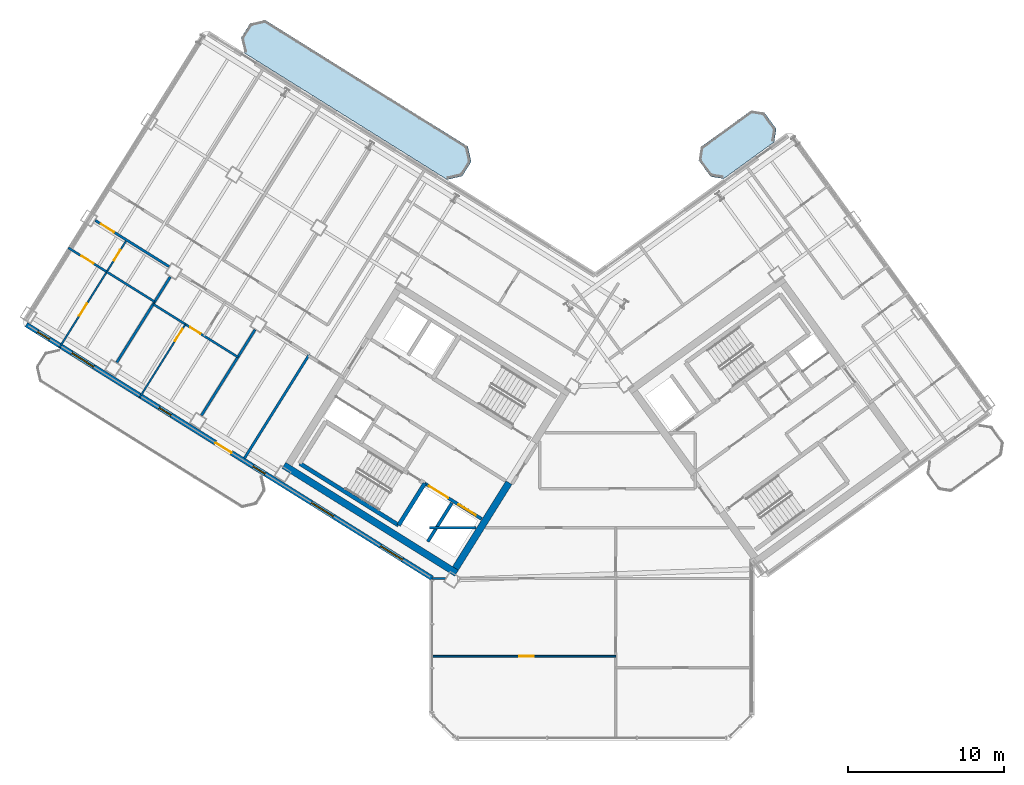
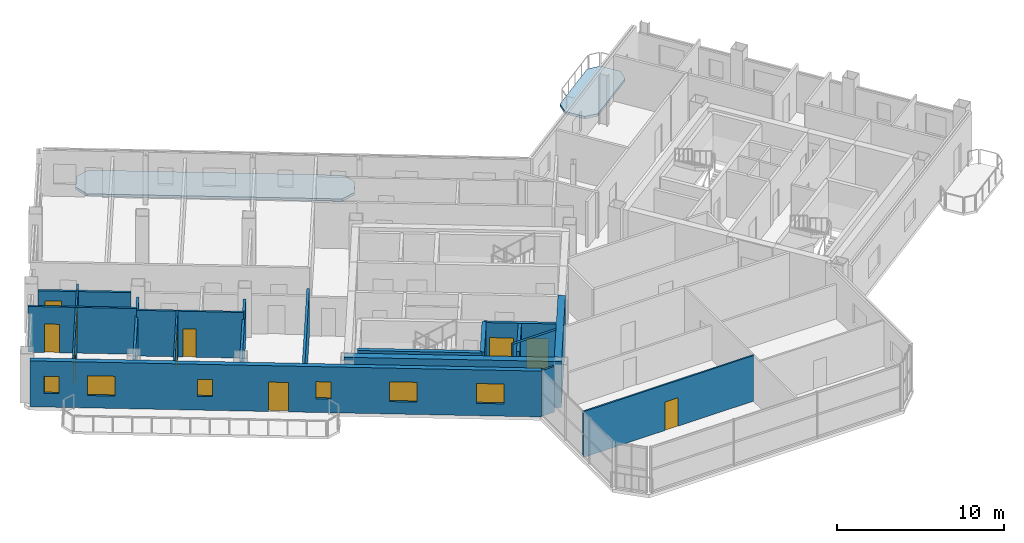
# One storey, part 11 of 21: 19 walls, 10 doors, 6 windows, 2 slabs, 16 openings.
"""IFC4 building model written with IfcOpenShell, lengths in metres."""

from ifc_helpers import new_model, si_unit, direction, frame, frame_2d, origin, place, context, subcontext, project, spatial, polyline, rectangle, outline, extrude, source, transform, mapped, material, layer, layer_set, type_object, element, fill, save


model = new_model("IFC4")

# Units and contexts
model_context = context("Model", 3, precision=1e-05, world=origin(), true_north=direction((0.0, 1.0)))
body_context = subcontext(model_context, "Body", "Model", "MODEL_VIEW")
ifc_project = project(units=[si_unit("LENGTHUNIT", "METRE"), si_unit("AREAUNIT", "SQUARE_METRE"), si_unit("VOLUMEUNIT", "CUBIC_METRE"), si_unit("PLANEANGLEUNIT", "RADIAN"), si_unit("MASSUNIT", "GRAM", prefix="KILO")], contexts=[model_context])

# Site, building, storey
site_placement = place(None, origin())
site = spatial("IfcSite", under=ifc_project, at=site_placement, CompositionType="ELEMENT")
building_placement = place(site_placement, origin())
building = spatial("IfcBuilding", under=site, at=building_placement, Name="Tlacorven Tower", CompositionType="ELEMENT")
storey_placement = place(building_placement, frame((0.0, 0.0, 207.60009765625)))
storey = spatial("IfcBuildingStorey", under=building, at=storey_placement, Name="L52", CompositionType="ELEMENT", Elevation=207.60009765625)

# Slabs
ifc_material_1 = material(Name="Precast concrete C45/55", Category="concrete")
ifc_layer_1 = layer(ifc_material_1, 0.179931640625)
ifc_layer_set_1 = layer_set([ifc_layer_1], Name="Precast concrete C45/55")
slab_type = type_object("IfcSlabType", Name="SL-BAL-180", PredefinedType="USERDEFINED", material=ifc_layer_set_1)
slab_1_placement = place(storey_placement, frame((0.0, 0.0, -0.18017578125)))
element("IfcSlab", 1, at=slab_1_placement, inside=storey, type_object=slab_type, Name="L52 West Wing Balcony Ribbon IN", ObjectType="BALCONY SLAB", PredefinedType="USERDEFINED", context=body_context, shape_type="SweptSolid", body=[
    extrude(outline(polyline([(34.0419921875, 39.835693359375), (21.06689453125, 47.943359375), (20.102294921875, 47.720703125), (19.52197265625, 46.7919921875), (19.744873046875, 45.827392578125), (32.719970703125, 37.7197265625), (33.6845703125, 37.9423828125), (34.2646484375, 38.87109375), (34.0419921875, 39.835693359375)])), origin(), (0.0, 0.0, 1.0), 0.18017578125),
])
slab_2_placement = place(storey_placement, frame((0.0, 0.0, -0.18017578125)))
element("IfcSlab", 2, at=slab_2_placement, inside=storey, type_object=slab_type, Name="L52 East Wing Balcony Ribbon IN", ObjectType="BALCONY SLAB", PredefinedType="USERDEFINED", context=body_context, shape_type="SweptSolid", body=[
    extrude(outline(polyline([(50.433837890625, 37.77880859375), (53.669921875, 40.1298828125), (53.802490234375, 40.968017578125), (53.04150390625, 42.015625), (52.203369140625, 42.1484375), (48.96728515625, 39.79736328125), (48.83447265625, 38.959228515625), (49.595703125, 37.91162109375), (50.433837890625, 37.77880859375)])), origin(), (0.0, 0.0, 1.0), 0.18017578125),
])

# Walls
ifc_material_2 = material(Name="Concrete C50/60", Category="concrete")
ifc_layer_2 = layer(ifc_material_2, 0.449951171875)
ifc_layer_set_2 = layer_set([ifc_layer_2], Name="Concrete C50/60")
wall_type_1 = type_object("IfcWallType", Name="WL-COR-450", PredefinedType="SHEAR", material=ifc_layer_set_2)
wall_1_placement = place(storey_placement, frame((33.32373046875, 12.5029296875, 0.0), z_axis=(0.0, 0.0, 1.0), x_axis=(-0.848043529849, 0.529926571782, 0.0)))
element("IfcWall", 3, at=wall_1_placement, inside=storey, type_object=wall_type_1, Name="L52 W core shear wall S2", PredefinedType="SHEAR", context=body_context, shape_type="SweptSolid", body=[
    extrude(rectangle(XDim=13.039794921875, YDim=0.449951171875, at=frame_2d((6.52001953125, 0.0))), origin(), (0.0, 0.0, 1.0), 3.349853515625),
])
wall_2_placement = place(storey_placement, frame((36.683349609375, 18.30419921875, 0.0), z_axis=(0.0, 0.0, 1.0), x_axis=(-0.529904039071, -0.848057609704, 0.0)))
element("IfcWall", 4, at=wall_2_placement, inside=storey, type_object=wall_type_1, Name="L52 W core end wall E1.2", PredefinedType="SHEAR", context=body_context, shape_type="SweptSolid", body=[
    extrude(rectangle(XDim=6.47509765625, YDim=0.449951171875, at=frame_2d((3.237548828125, 0.0))), origin(), (0.0, 0.0, 1.0), 3.349853515625),
])
ifc_material_3 = material(Name="Gypsum plasterboard acoustic partition", Category="gypsum")
ifc_layer_3 = layer(ifc_material_3, 0.159912109375)
ifc_layer_set_3 = layer_set([ifc_layer_3], Name="Gypsum plasterboard acoustic partition")
wall_type_2 = type_object("IfcWallType", Name="WL-DEM-160", PredefinedType="PARTITIONING", material=ifc_layer_set_3)
wall_3_placement = place(storey_placement, frame((23.899169921875, 26.528564453125, 0.0), z_axis=(0.0, 0.0, 1.0), x_axis=(-0.529920662441, -0.848047222457, 0.0)))
element("IfcWall", 5, at=wall_3_placement, inside=storey, type_object=wall_type_2, Name="L52 partition 42", PredefinedType="PARTITIONING", context=body_context, shape_type="SweptSolid", body=[
    extrude(rectangle(XDim=7.85009765625, YDim=0.159912109375, at=frame_2d((3.925048828125, 0.0))), origin(), (0.0, 0.0, 1.0), 3.33984375),
])

# Wall, opening, door
wall_4_placement = place(storey_placement, frame((14.908203125, 32.146728515625, 0.0), z_axis=(0.0, 0.0, 1.0), x_axis=(-0.848049955116, 0.529916289265, 0.0)))
wall_4 = element("IfcWall", 6, at=wall_4_placement, inside=storey, type_object=wall_type_2, Name="L52 Wing W Corridor North Wall", PredefinedType="PARTITIONING", context=body_context, shape_type="SweptSolid", body=[
    extrude(rectangle(XDim=5.575927734375, YDim=0.159912109375, at=frame_2d((2.7880859375, 0.0))), origin(), (0.0, 0.0, 1.0), 2.824951171875),
])
opening_1_placement = place(wall_4_placement, frame((4.157958984375, 0.0, 0.0)))
opening_1 = element("IfcOpeningElement", 7, at=opening_1_placement, cuts=wall_4, Name="Opening D11", PredefinedType="OPENING", context=body_context, shape_type="SweptSolid", body=[
    extrude(rectangle(XDim=1.0, YDim=2.10009765625, at=frame_2d((0.5, 1.050048828125))), frame((0.0, 0.08984375, 0.0), z_axis=(0.0, -1.0, 0.0), x_axis=(1.0, 0.0, 0.0)), (0.0, 0.0, 1.0), 0.179931640625),
])
ifc_material_4 = material(Name="Fire-rated steel door assembly", Category="steel")
door_type_1 = type_object("IfcDoorType", Name="DR-FLT-FD60-1000", OperationType="NOTDEFINED", PredefinedType="DOOR", material=ifc_material_4)
shared_shape_1 = source(origin(), body_context, "Body", "SweptSolid", [
    extrude(rectangle(XDim=1.0, YDim=2.10009765625, at=frame_2d((0.5, 1.050048828125))), frame((0.0, 0.02490234375, 0.0), z_axis=(0.0, -1.0, 0.0), x_axis=(1.0, 0.0, 0.0)), (0.0, 0.0, 1.0), 0.050048828125),
])
door_1_placement = place(opening_1_placement, origin())
door_1 = element("IfcDoor", 8, at=door_1_placement, inside=storey, type_object=door_type_1, Name="L52 door 030", OperationType="SINGLE_SWING_LEFT", OverallHeight=2.10009765625, OverallWidth=1.0, PredefinedType="DOOR", context=body_context, shape_type="MappedRepresentation", body=[
    mapped(shared_shape_1, transform((0.0, 0.0, 0.0), scale=1.0)),
])
fill(opening_1, door_1)

# Walls
wall_5_placement = place(storey_placement, frame((20.413818359375, 28.102783203125, 0.0), z_axis=(0.0, 0.0, 1.0), x_axis=(-0.529934553702, -0.848038542045, 0.0)))
element("IfcWall", 9, at=wall_5_placement, inside=storey, type_object=wall_type_2, Name="L52 WN Demising Wall 1", PredefinedType="PARTITIONING", context=body_context, shape_type="SweptSolid", body=[
    extrude(rectangle(XDim=6.47607421875, YDim=0.159912109375, at=frame_2d((3.238037109375, 0.0))), origin(), (0.0, 0.0, 1.0), 2.824951171875),
])
wall_6_placement = place(storey_placement, frame((14.986083984375, 31.494140625, 0.0), z_axis=(0.0, 0.0, 1.0), x_axis=(-0.529907440938, -0.848055484057, 0.0)))
element("IfcWall", 10, at=wall_6_placement, inside=storey, type_object=wall_type_2, Name="L52 WN Demising Wall 2", PredefinedType="PARTITIONING", context=body_context, shape_type="SweptSolid", body=[
    extrude(rectangle(XDim=6.475830078125, YDim=0.159912109375, at=frame_2d((3.23779296875, 0.0))), origin(), (0.0, 0.0, 1.0), 2.824951171875),
])
wall_7_placement = place(storey_placement, frame((31.60009765625, 15.419921875, 0.0), z_axis=(0.0, 0.0, 1.0), x_axis=(1.0, 0.0, 0.0)))
element("IfcWall", 11, at=wall_7_placement, inside=storey, type_object=wall_type_2, Name="L52 Knuckle Corridor South Wall", PredefinedType="PARTITIONING", context=body_context, shape_type="SweptSolid", body=[
    extrude(rectangle(XDim=2.984130859375, YDim=0.159912109375, at=frame_2d((1.4921875, 0.0))), origin(), (0.0, 0.0, 1.0), 3.33984375),
])

# Wall, openings, door, windows
ifc_layer_4 = layer(ifc_material_1, 0.320068359375)
ifc_layer_set_4 = layer_set([ifc_layer_4], Name="Precast concrete C45/55")
wall_type_3 = type_object("IfcWallType", Name="WL-EXT-320", PredefinedType="STANDARD", material=ifc_layer_set_4)
wall_8_placement = place(storey_placement, frame((31.760009765625, 12.18310546875, 0.0), z_axis=(0.0, 0.0, 1.0), x_axis=(-0.848047074256, 0.529920899612, 0.0)))
wall_8 = element("IfcWall", 12, at=wall_8_placement, inside=storey, type_object=wall_type_3, Name="L52 Masonry-Frame Recessed Facade Wall 1", PredefinedType="STANDARD", context=body_context, shape_type="SweptSolid", body=[
    extrude(rectangle(XDim=30.652099609375, YDim=0.320068359375, at=frame_2d((15.326171875, 0.0))), origin(), (0.0, 0.0, 1.0), 3.349853515625),
])
opening_2_placement = place(wall_8_placement, frame((15.165771484375, 0.0, 0.0)))
opening_2 = element("IfcOpeningElement", 13, at=opening_2_placement, cuts=wall_8, Name="Opening D05", PredefinedType="OPENING", context=body_context, shape_type="SweptSolid", body=[
    extrude(rectangle(XDim=1.199951171875, YDim=2.14990234375, at=frame_2d((0.60009765625, 1.074951171875))), frame((0.0, 0.169921875, 0.0), z_axis=(0.0, -1.0, 0.0), x_axis=(1.0, 0.0, 0.0)), (0.0, 0.0, 1.0), 0.340087890625),
])
opening_3_placement = place(wall_8_placement, frame((2.239501953125, 0.0, 0.89990234375)))
opening_3 = element("IfcOpeningElement", 14, at=opening_3_placement, cuts=wall_8, Name="Opening WN07", PredefinedType="OPENING", context=body_context, shape_type="SweptSolid", body=[
    extrude(rectangle(XDim=1.64990234375, YDim=1.449951171875, at=frame_2d((0.824951171875, 0.72509765625))), frame((0.0, 0.169921875, 0.0), z_axis=(0.0, -1.0, 0.0), x_axis=(1.0, 0.0, 0.0)), (0.0, 0.0, 1.0), 0.340087890625),
])
opening_4_placement = place(wall_8_placement, frame((7.46875, 0.0, 0.89990234375)))
opening_4 = element("IfcOpeningElement", 15, at=opening_4_placement, cuts=wall_8, Name="Opening WN07", PredefinedType="OPENING", context=body_context, shape_type="SweptSolid", body=[
    extrude(rectangle(XDim=1.64990234375, YDim=1.449951171875, at=frame_2d((0.824951171875, 0.72509765625))), frame((0.0, 0.169921875, 0.0), z_axis=(0.0, -1.0, 0.0), x_axis=(1.0, 0.0, 0.0)), (0.0, 0.0, 1.0), 0.340087890625),
])
opening_5_placement = place(wall_8_placement, frame((12.623291015625, 0.0, 1.0)))
opening_5 = element("IfcOpeningElement", 16, at=opening_5_placement, cuts=wall_8, Name="Opening WN05", PredefinedType="OPENING", context=body_context, shape_type="SweptSolid", body=[
    extrude(rectangle(XDim=0.89990234375, YDim=1.25, at=frame_2d((0.449951171875, 0.625))), frame((0.0, 0.169921875, 0.0), z_axis=(0.0, -1.0, 0.0), x_axis=(1.0, 0.0, 0.0)), (0.0, 0.0, 1.0), 0.340087890625),
])
opening_6_placement = place(wall_8_placement, frame((19.71484375, 0.0, 1.0)))
opening_6 = element("IfcOpeningElement", 17, at=opening_6_placement, cuts=wall_8, Name="Opening WN05", PredefinedType="OPENING", context=body_context, shape_type="SweptSolid", body=[
    extrude(rectangle(XDim=0.89990234375, YDim=1.25, at=frame_2d((0.449951171875, 0.625))), frame((0.0, 0.169921875, 0.0), z_axis=(0.0, -1.0, 0.0), x_axis=(1.0, 0.0, 0.0)), (0.0, 0.0, 1.0), 0.340087890625),
])
opening_7_placement = place(wall_8_placement, frame((25.56591796875, 0.0, 0.89990234375)))
opening_7 = element("IfcOpeningElement", 18, at=opening_7_placement, cuts=wall_8, Name="Opening WN07", PredefinedType="OPENING", context=body_context, shape_type="SweptSolid", body=[
    extrude(rectangle(XDim=1.64990234375, YDim=1.449951171875, at=frame_2d((0.824951171875, 0.72509765625))), frame((0.0, 0.169921875, 0.0), z_axis=(0.0, -1.0, 0.0), x_axis=(1.0, 0.0, 0.0)), (0.0, 0.0, 1.0), 0.340087890625),
])
opening_8_placement = place(wall_8_placement, frame((28.895751953125, 0.0, 1.0)))
opening_8 = element("IfcOpeningElement", 19, at=opening_8_placement, cuts=wall_8, Name="Opening WN05", PredefinedType="OPENING", context=body_context, shape_type="SweptSolid", body=[
    extrude(rectangle(XDim=0.89990234375, YDim=1.25, at=frame_2d((0.449951171875, 0.625))), frame((0.0, 0.169921875, 0.0), z_axis=(0.0, -1.0, 0.0), x_axis=(1.0, 0.0, 0.0)), (0.0, 0.0, 1.0), 0.340087890625),
])
ifc_material_5 = material(Name="Powder-coated aluminium and timber door", Category="wood")
door_type_2 = type_object("IfcDoorType", Name="DR-EXT-BALC-1200", OperationType="NOTDEFINED", PredefinedType="DOOR", material=ifc_material_5)
shared_shape_2 = source(origin(), body_context, "Body", "SweptSolid", [
    extrude(rectangle(XDim=1.199951171875, YDim=2.14990234375, at=frame_2d((0.60009765625, 1.074951171875))), frame((0.0, 0.02490234375, 0.0), z_axis=(0.0, -1.0, 0.0), x_axis=(1.0, 0.0, 0.0)), (0.0, 0.0, 1.0), 0.050048828125),
])
door_2_placement = place(opening_2_placement, origin())
door_2 = element("IfcDoor", 20, at=door_2_placement, inside=storey, type_object=door_type_2, Name="L52 Outdoor Access Door BAL-L52-W-OUT", OperationType="SINGLE_SWING_LEFT", OverallHeight=2.14990234375, OverallWidth=1.199951171875, PredefinedType="DOOR", context=body_context, shape_type="MappedRepresentation", body=[
    mapped(shared_shape_2, transform((0.0, 0.0, 0.0), scale=1.0)),
])
fill(opening_2, door_2)
ifc_material_6 = material(Name="Dark solar low-E double glazing in anodised aluminium frame", Category="aluminium")
window_type_1 = type_object("IfcWindowType", Name="WN-APT-0900X1350", PartitioningType="SINGLE_PANEL", PredefinedType="WINDOW", material=ifc_material_6)
shared_shape_3 = source(origin(), body_context, "Body", "SweptSolid", [
    extrude(rectangle(XDim=0.89990234375, YDim=1.25, at=frame_2d((0.449951171875, 0.625))), frame((0.0, 0.030029296875, 0.0), z_axis=(0.0, -1.0, 0.0), x_axis=(1.0, 0.0, 0.0)), (0.0, 0.0, 1.0), 0.06005859375),
])
window_1_placement = place(opening_5_placement, origin())
window_1 = element("IfcWindow", 21, at=window_1_placement, inside=storey, type_object=window_type_1, Name="L52 Recessed Masonry-Frame Window L52-01.3", OverallHeight=1.25, OverallWidth=0.89990234375, PartitioningType="SINGLE_PANEL", PredefinedType="WINDOW", context=body_context, shape_type="MappedRepresentation", body=[
    mapped(shared_shape_3, transform((0.0, 0.0, 0.0), scale=1.0)),
])
fill(opening_5, window_1)
window_2_placement = place(opening_6_placement, origin())
window_2 = element("IfcWindow", 22, at=window_2_placement, inside=storey, type_object=window_type_1, Name="L52 Recessed Masonry-Frame Window L52-01.4", OverallHeight=1.25, OverallWidth=0.89990234375, PartitioningType="SINGLE_PANEL", PredefinedType="WINDOW", context=body_context, shape_type="MappedRepresentation", body=[
    mapped(shared_shape_3, transform((0.0, 0.0, 0.0), scale=1.0)),
])
fill(opening_6, window_2)
window_3_placement = place(opening_8_placement, origin())
window_3 = element("IfcWindow", 23, at=window_3_placement, inside=storey, type_object=window_type_1, Name="L52 Recessed Masonry-Frame Window L52-01.6", OverallHeight=1.25, OverallWidth=0.89990234375, PartitioningType="SINGLE_PANEL", PredefinedType="WINDOW", context=body_context, shape_type="MappedRepresentation", body=[
    mapped(shared_shape_3, transform((0.0, 0.0, 0.0), scale=1.0)),
])
fill(opening_8, window_3)
window_type_2 = type_object("IfcWindowType", Name="WN-APT-1650X1600", PartitioningType="SINGLE_PANEL", PredefinedType="WINDOW", material=ifc_material_6)
shared_shape_4 = source(origin(), body_context, "Body", "SweptSolid", [
    extrude(rectangle(XDim=1.64990234375, YDim=1.449951171875, at=frame_2d((0.824951171875, 0.72509765625))), frame((0.0, 0.030029296875, 0.0), z_axis=(0.0, -1.0, 0.0), x_axis=(1.0, 0.0, 0.0)), (0.0, 0.0, 1.0), 0.06005859375),
])
window_4_placement = place(opening_3_placement, origin())
window_4 = element("IfcWindow", 24, at=window_4_placement, inside=storey, type_object=window_type_2, Name="L52 Recessed Masonry-Frame Window L52-01.1", OverallHeight=1.449951171875, OverallWidth=1.64990234375, PartitioningType="SINGLE_PANEL", PredefinedType="WINDOW", context=body_context, shape_type="MappedRepresentation", body=[
    mapped(shared_shape_4, transform((0.0, 0.0, 0.0), scale=1.0)),
])
fill(opening_3, window_4)
window_5_placement = place(opening_4_placement, origin())
window_5 = element("IfcWindow", 25, at=window_5_placement, inside=storey, type_object=window_type_2, Name="L52 Recessed Masonry-Frame Window L52-01.2", OverallHeight=1.449951171875, OverallWidth=1.64990234375, PartitioningType="SINGLE_PANEL", PredefinedType="WINDOW", context=body_context, shape_type="MappedRepresentation", body=[
    mapped(shared_shape_4, transform((0.0, 0.0, 0.0), scale=1.0)),
])
fill(opening_4, window_5)
window_6_placement = place(opening_7_placement, origin())
window_6 = element("IfcWindow", 26, at=window_6_placement, inside=storey, type_object=window_type_2, Name="L52 Recessed Masonry-Frame Window L52-01.5", OverallHeight=1.449951171875, OverallWidth=1.64990234375, PartitioningType="SINGLE_PANEL", PredefinedType="WINDOW", context=body_context, shape_type="MappedRepresentation", body=[
    mapped(shared_shape_4, transform((0.0, 0.0, 0.0), scale=1.0)),
])
fill(opening_7, window_6)

# Wall, opening, door
ifc_material_7 = material(Name="Gypsum plasterboard partition", Category="gypsum")
ifc_layer_5 = layer(ifc_material_7, 0.110107421875)
ifc_layer_set_5 = layer_set([ifc_layer_5], Name="Gypsum plasterboard partition")
wall_type_4 = type_object("IfcWallType", Name="WL-INT-110", PredefinedType="PARTITIONING", material=ifc_layer_set_5)
wall_9_placement = place(storey_placement, frame((15.952880859375, 28.45166015625, 0.0), z_axis=(0.0, 0.0, 1.0), x_axis=(-0.529919714018, -0.848047815099, 0.0)))
wall_9 = element("IfcWall", 27, at=wall_9_placement, inside=storey, type_object=wall_type_4, Name="L52 partition 50", PredefinedType="PARTITIONING", context=body_context, shape_type="SweptSolid", body=[
    extrude(rectangle(XDim=5.5400390625, YDim=0.110107421875, at=frame_2d((2.77001953125, 0.0))), origin(), (0.0, 0.0, 1.0), 3.33984375),
])
opening_9_placement = place(wall_9_placement, frame((0.35009765625, 0.0, 0.0)))
opening_9 = element("IfcOpeningElement", 28, at=opening_9_placement, cuts=wall_9, Name="Opening D12", PredefinedType="OPENING", context=body_context, shape_type="SweptSolid", body=[
    extrude(rectangle(XDim=0.919921875, YDim=2.080078125, at=frame_2d((0.4599609375, 1.0400390625))), frame((0.0, 0.06494140625, 0.0), z_axis=(0.0, -1.0, 0.0), x_axis=(1.0, 0.0, 0.0)), (0.0, 0.0, 1.0), 0.130126953125),
])
door_type_3 = type_object("IfcDoorType", Name="DR-INT-ROOM-0920", OperationType="NOTDEFINED", PredefinedType="DOOR", material=ifc_material_5)
shared_shape_5 = source(origin(), body_context, "Body", "SweptSolid", [
    extrude(rectangle(XDim=0.919921875, YDim=2.080078125, at=frame_2d((0.4599609375, 1.0400390625))), frame((0.0, 0.02490234375, 0.0), z_axis=(0.0, -1.0, 0.0), x_axis=(1.0, 0.0, 0.0)), (0.0, 0.0, 1.0), 0.050048828125),
])
door_3_placement = place(opening_9_placement, origin())
door_3 = element("IfcDoor", 29, at=door_3_placement, inside=storey, type_object=door_type_3, Name="L52 door 025", OperationType="SINGLE_SWING_RIGHT", OverallHeight=2.080078125, OverallWidth=0.919921875, PredefinedType="DOOR", context=body_context, shape_type="MappedRepresentation", body=[
    mapped(shared_shape_5, transform((0.0, 0.0, 0.0), scale=1.0)),
])
fill(opening_9, door_3)

# Wall, openings, doors
wall_10_placement = place(storey_placement, frame((12.1875, 33.8466796875, 0.0), z_axis=(0.0, 0.0, 1.0), x_axis=(-0.529917860021, -0.848048973604, 0.0)))
wall_10 = element("IfcWall", 30, at=wall_10_placement, inside=storey, type_object=wall_type_4, Name="L52 partition 51", PredefinedType="PARTITIONING", context=body_context, shape_type="SweptSolid", body=[
    extrude(rectangle(XDim=8.1201171875, YDim=0.110107421875, at=frame_2d((4.06005859375, 0.0))), origin(), (0.0, 0.0, 1.0), 3.33984375),
])
opening_10_placement = place(wall_10_placement, frame((0.760009765625, 0.0, 0.0)))
opening_10 = element("IfcOpeningElement", 31, at=opening_10_placement, cuts=wall_10, Name="Opening D22", PredefinedType="OPENING", context=body_context, shape_type="SweptSolid", body=[
    extrude(rectangle(XDim=0.780029296875, YDim=2.050048828125, at=frame_2d((0.39013671875, 1.02490234375))), frame((0.0, 0.06494140625, 0.0), z_axis=(0.0, -1.0, 0.0), x_axis=(1.0, 0.0, 0.0)), (0.0, 0.0, 1.0), 0.130126953125),
])
opening_11_placement = place(wall_10_placement, frame((4.800048828125, 0.0, 0.0)))
opening_11 = element("IfcOpeningElement", 32, at=opening_11_placement, cuts=wall_10, Name="Opening D12", PredefinedType="OPENING", context=body_context, shape_type="SweptSolid", body=[
    extrude(rectangle(XDim=0.919921875, YDim=2.080078125, at=frame_2d((0.4599609375, 1.0400390625))), frame((0.0, 0.06494140625, 0.0), z_axis=(0.0, -1.0, 0.0), x_axis=(1.0, 0.0, 0.0)), (0.0, 0.0, 1.0), 0.130126953125),
])
door_type_4 = type_object("IfcDoorType", Name="DR-INT-WET-0780", OperationType="NOTDEFINED", PredefinedType="DOOR", material=ifc_material_5)
shared_shape_6 = source(origin(), body_context, "Body", "SweptSolid", [
    extrude(rectangle(XDim=0.780029296875, YDim=2.050048828125, at=frame_2d((0.39013671875, 1.02490234375))), frame((0.0, 0.02490234375, 0.0), z_axis=(0.0, -1.0, 0.0), x_axis=(1.0, 0.0, 0.0)), (0.0, 0.0, 1.0), 0.050048828125),
])
door_4_placement = place(opening_10_placement, origin())
door_4 = element("IfcDoor", 33, at=door_4_placement, inside=storey, type_object=door_type_4, Name="L52 door 032", OperationType="SINGLE_SWING_LEFT", OverallHeight=2.050048828125, OverallWidth=0.780029296875, PredefinedType="DOOR", context=body_context, shape_type="MappedRepresentation", body=[
    mapped(shared_shape_6, transform((0.0, 0.0, 0.0), scale=1.0)),
])
fill(opening_10, door_4)
door_5_placement = place(opening_11_placement, origin())
door_5 = element("IfcDoor", 34, at=door_5_placement, inside=storey, type_object=door_type_3, Name="L52 door 033", OperationType="SINGLE_SWING_RIGHT", OverallHeight=2.080078125, OverallWidth=0.919921875, PredefinedType="DOOR", context=body_context, shape_type="MappedRepresentation", body=[
    mapped(shared_shape_5, transform((0.0, 0.0, 0.0), scale=1.0)),
])
fill(opening_11, door_5)

# Wall, opening, door
wall_11_placement = place(storey_placement, frame((31.739990234375, 7.18505859375, 0.0), z_axis=(0.0, 0.0, 1.0), x_axis=(1.0, 0.0, 0.0)))
wall_11 = element("IfcWall", 35, at=wall_11_placement, inside=storey, type_object=wall_type_4, Name="L52 partition 72", PredefinedType="PARTITIONING", context=body_context, shape_type="SweptSolid", body=[
    extrude(rectangle(XDim=11.785888671875, YDim=0.110107421875, at=frame_2d((5.89306640625, 0.0))), origin(), (0.0, 0.0, 1.0), 3.33984375),
])
opening_12_placement = place(wall_11_placement, frame((5.613037109375, 0.0, 0.0)))
opening_12 = element("IfcOpeningElement", 36, at=opening_12_placement, cuts=wall_11, Name="Opening D12", PredefinedType="OPENING", context=body_context, shape_type="SweptSolid", body=[
    extrude(rectangle(XDim=0.919921875, YDim=2.080078125, at=frame_2d((0.4599609375, 1.0400390625))), frame((0.0, 0.06494140625, 0.0), z_axis=(0.0, -1.0, 0.0), x_axis=(1.0, 0.0, 0.0)), (0.0, 0.0, 1.0), 0.130126953125),
])
door_6_placement = place(opening_12_placement, frame((0.919921875, 0.0, 0.0), z_axis=(0.0, 0.0, 1.0), x_axis=(-1.0, 0.0, 0.0)))
door_6 = element("IfcDoor", 37, at=door_6_placement, inside=storey, type_object=door_type_3, Name="L52 door 044", OperationType="SINGLE_SWING_LEFT", OverallHeight=2.080078125, OverallWidth=0.919921875, PredefinedType="DOOR", context=body_context, shape_type="MappedRepresentation", body=[
    mapped(shared_shape_5, transform((0.0, 0.0, 0.0), scale=1.0)),
])
fill(opening_12, door_6)

ifc_material_8 = material(Name="Moisture-resistant gypsum plumbing wall", Category="gypsum")
ifc_layer_6 = layer(ifc_material_8, 0.139892578125)
ifc_layer_set_6 = layer_set([ifc_layer_6], Name="Moisture-resistant gypsum plumbing wall")
wall_type_5 = type_object("IfcWallType", Name="WL-PLM-140", PredefinedType="PLUMBINGWALL", material=ifc_layer_set_6)
wall_12_placement = place(storey_placement, frame((19.31787109375, 26.348876953125, 0.0), z_axis=(0.0, 0.0, 1.0), x_axis=(-0.848039019877, 0.529933789039, 0.0)))
wall_12 = element("IfcWall", 38, at=wall_12_placement, inside=storey, type_object=wall_type_5, Name="L52 partition 48", PredefinedType="PLUMBINGWALL", context=body_context, shape_type="SweptSolid", body=[
    extrude(rectangle(XDim=6.400146484375, YDim=0.139892578125, at=frame_2d((3.2001953125, 0.0))), origin(), (0.0, 0.0, 1.0), 3.33984375),
])
opening_13_placement = place(wall_12_placement, frame((2.823974609375, 0.0, 0.0)))
opening_13 = element("IfcOpeningElement", 39, at=opening_13_placement, cuts=wall_12, Name="Opening D22", PredefinedType="OPENING", context=body_context, shape_type="SweptSolid", body=[
    extrude(rectangle(XDim=0.780029296875, YDim=2.050048828125, at=frame_2d((0.39013671875, 1.02490234375))), frame((0.0, 0.080078125, 0.0), z_axis=(0.0, -1.0, 0.0), x_axis=(1.0, 0.0, 0.0)), (0.0, 0.0, 1.0), 0.159912109375),
])
door_7_placement = place(opening_13_placement, origin())
door_7 = element("IfcDoor", 40, at=door_7_placement, inside=storey, type_object=door_type_4, Name="L52 door 027", OperationType="SINGLE_SWING_RIGHT", OverallHeight=2.050048828125, OverallWidth=0.780029296875, PredefinedType="DOOR", context=body_context, shape_type="MappedRepresentation", body=[
    mapped(shared_shape_6, transform((0.0, 0.0, 0.0), scale=1.0)),
])
fill(opening_13, door_7)

wall_13_placement = place(storey_placement, frame((10.915771484375, 31.811279296875, 0.0), z_axis=(0.0, 0.0, 1.0), x_axis=(-0.84802195137, 0.529961102341, 0.0)))
wall_13 = element("IfcWall", 41, at=wall_13_placement, inside=storey, type_object=wall_type_5, Name="L52 partition 53", PredefinedType="PLUMBINGWALL", context=body_context, shape_type="SweptSolid", body=[
    extrude(rectangle(XDim=2.89990234375, YDim=0.139892578125, at=frame_2d((1.449951171875, 0.0))), origin(), (0.0, 0.0, 1.0), 3.33984375),
])
opening_14_placement = place(wall_13_placement, frame((0.989990234375, 0.0, 0.0)))
opening_14 = element("IfcOpeningElement", 42, at=opening_14_placement, cuts=wall_13, Name="Opening D12", PredefinedType="OPENING", context=body_context, shape_type="SweptSolid", body=[
    extrude(rectangle(XDim=0.919921875, YDim=2.080078125, at=frame_2d((0.4599609375, 1.0400390625))), frame((0.0, 0.080078125, 0.0), z_axis=(0.0, -1.0, 0.0), x_axis=(1.0, 0.0, 0.0)), (0.0, 0.0, 1.0), 0.159912109375),
])
door_8_placement = place(opening_14_placement, origin())
door_8 = element("IfcDoor", 43, at=door_8_placement, inside=storey, type_object=door_type_3, Name="L52 door 031", OperationType="SINGLE_SWING_RIGHT", OverallHeight=2.080078125, OverallWidth=0.919921875, PredefinedType="DOOR", context=body_context, shape_type="MappedRepresentation", body=[
    mapped(shared_shape_5, transform((0.0, 0.0, 0.0), scale=1.0)),
])
fill(opening_14, door_8)

# Walls
wall_14_placement = place(storey_placement, frame((13.985595703125, 29.89306640625, 0.0), z_axis=(0.0, 0.0, 1.0), x_axis=(-0.848051346257, 0.52991406295, 0.0)))
element("IfcWall", 44, at=wall_14_placement, inside=storey, type_object=wall_type_5, Name="L52 partition 54", PredefinedType="PLUMBINGWALL", context=body_context, shape_type="SweptSolid", body=[
    extrude(rectangle(XDim=3.619873046875, YDim=0.139892578125, at=frame_2d((1.81005859375, 0.0))), origin(), (0.0, 0.0, 1.0), 3.33984375),
])
wall_15_placement = place(storey_placement, frame((31.739990234375, 12.169921875, 0.0), z_axis=(0.0, 0.0, 1.0), x_axis=(1.0, 0.0, 0.0)))
element("IfcWall", 45, at=wall_15_placement, inside=storey, type_object=wall_type_5, Name="L52 partition 70", PredefinedType="PLUMBINGWALL", context=body_context, shape_type="SweptSolid", body=[
    extrude(rectangle(XDim=0.872314453125, YDim=0.139892578125, at=frame_2d((0.43603515625, 0.0))), origin(), (0.0, 0.0, 1.0), 3.33984375),
])

# Wall, openings, doors
ifc_material_9 = material(Name="Concrete C40/50", Category="concrete")
ifc_layer_7 = layer(ifc_material_9, 0.199951171875)
ifc_layer_set_7 = layer_set([ifc_layer_7], Name="Concrete C40/50")
wall_type_6 = type_object("IfcWallType", Name="WL-SHF-200", PredefinedType="STANDARD", material=ifc_layer_set_7)
wall_16_placement = place(storey_placement, frame((34.93310546875, 15.978271484375, 0.0), z_axis=(0.0, 0.0, 1.0), x_axis=(-0.848055739377, 0.529907032327, 0.0)))
wall_16 = element("IfcWall", 46, at=wall_16_placement, inside=storey, type_object=wall_type_6, Name="L52 Core W Firefighting Lift Shaft Front Wall", PredefinedType="STANDARD", context=body_context, shape_type="SweptSolid", body=[
    extrude(rectangle(XDim=4.298095703125, YDim=0.199951171875, at=frame_2d((2.14892578125, 0.0))), origin(), (0.0, 0.0, 1.0), 3.33984375),
])
opening_15_placement = place(wall_16_placement, frame((0.447998046875, 0.0, 0.0)))
opening_15 = element("IfcOpeningElement", 47, at=opening_15_placement, cuts=wall_16, Name="Opening LD03", PredefinedType="OPENING", context=body_context, shape_type="SweptSolid", body=[
    extrude(rectangle(XDim=1.300048828125, YDim=2.199951171875, at=frame_2d((0.64990234375, 1.10009765625))), frame((0.0, 0.10986328125, 0.0), z_axis=(0.0, -1.0, 0.0), x_axis=(1.0, 0.0, 0.0)), (0.0, 0.0, 1.0), 0.219970703125),
])
opening_16_placement = place(wall_16_placement, frame((2.52294921875, 0.0, 0.0)))
opening_16 = element("IfcOpeningElement", 48, at=opening_16_placement, cuts=wall_16, Name="Opening LD04", PredefinedType="OPENING", context=body_context, shape_type="SweptSolid", body=[
    extrude(rectangle(XDim=1.449951171875, YDim=2.25, at=frame_2d((0.72509765625, 1.125))), frame((0.0, 0.10986328125, 0.0), z_axis=(0.0, -1.0, 0.0), x_axis=(1.0, 0.0, 0.0)), (0.0, 0.0, 1.0), 0.219970703125),
])
door_type_5 = type_object("IfcDoorType", Name="DR-LFT-SLID-1300", OperationType="DOUBLE_DOOR_SLIDING", PredefinedType="DOOR", material=ifc_material_4)
shared_shape_7 = source(origin(), body_context, "Body", "SweptSolid", [
    extrude(rectangle(XDim=1.300048828125, YDim=2.199951171875, at=frame_2d((0.64990234375, 1.10009765625))), frame((0.0, 0.02490234375, 0.0), z_axis=(0.0, -1.0, 0.0), x_axis=(1.0, 0.0, 0.0)), (0.0, 0.0, 1.0), 0.050048828125),
])
door_9_placement = place(opening_15_placement, origin())
door_9 = element("IfcDoor", 49, at=door_9_placement, inside=storey, type_object=door_type_5, Name="L52 Lift FFL-W1 Sliding Landing Door", OperationType="DOUBLE_DOOR_SLIDING", OverallHeight=2.199951171875, OverallWidth=1.300048828125, PredefinedType="DOOR", context=body_context, shape_type="MappedRepresentation", body=[
    mapped(shared_shape_7, transform((0.0, 0.0, 0.0), scale=1.0)),
])
fill(opening_15, door_9)
door_type_6 = type_object("IfcDoorType", Name="DR-LFT-SLID-1450", OperationType="DOUBLE_DOOR_SLIDING", PredefinedType="DOOR", material=ifc_material_4)
shared_shape_8 = source(origin(), body_context, "Body", "SweptSolid", [
    extrude(rectangle(XDim=1.449951171875, YDim=2.25, at=frame_2d((0.72509765625, 1.125))), frame((0.0, 0.02490234375, 0.0), z_axis=(0.0, -1.0, 0.0), x_axis=(1.0, 0.0, 0.0)), (0.0, 0.0, 1.0), 0.050048828125),
])
door_10_placement = place(opening_16_placement, origin())
door_10 = element("IfcDoor", 50, at=door_10_placement, inside=storey, type_object=door_type_6, Name="L52 Lift SVL-W1 Sliding Landing Door", OperationType="DOUBLE_DOOR_SLIDING", OverallHeight=2.25, OverallWidth=1.449951171875, PredefinedType="DOOR", context=body_context, shape_type="MappedRepresentation", body=[
    mapped(shared_shape_8, transform((0.0, 0.0, 0.0), scale=1.0)),
])
fill(opening_16, door_10)

# Walls
wall_17_placement = place(storey_placement, frame((33.02880859375, 17.003173828125, 0.0), z_axis=(0.0, 0.0, 1.0), x_axis=(-0.529916267533, -0.848049968695, 0.0)))
element("IfcWall", 51, at=wall_17_placement, inside=storey, type_object=wall_type_6, Name="L52 partition 11", PredefinedType="STANDARD", context=body_context, shape_type="SweptSolid", body=[
    extrude(rectangle(XDim=2.919921875, YDim=0.199951171875, at=frame_2d((1.4599609375, 0.0))), origin(), (0.0, 0.0, 1.0), 3.33984375),
])
ifc_layer_8 = layer(ifc_material_2, 0.260009765625)
ifc_layer_set_8 = layer_set([ifc_layer_8], Name="Concrete C50/60")
wall_type_7 = type_object("IfcWallType", Name="WL-STW-260", PredefinedType="SHEAR", material=ifc_layer_set_8)
wall_18_placement = place(storey_placement, frame((29.60498046875, 15.581298828125, 0.0), z_axis=(0.0, 0.0, 1.0), x_axis=(-0.848036911448, 0.529937163087, 0.0)))
element("IfcWall", 52, at=wall_18_placement, inside=storey, type_object=wall_type_7, Name="L52 Stair W1 Far Shear Wall", PredefinedType="SHEAR", context=body_context, shape_type="SweptSolid", body=[
    extrude(rectangle(XDim=7.4599609375, YDim=0.260009765625, at=frame_2d((3.72998046875, 0.0))), origin(), (0.0, 0.0, 1.0), 3.349853515625),
])
wall_19_placement = place(storey_placement, frame((31.2880859375, 18.255859375, 0.0), z_axis=(0.0, 0.0, 1.0), x_axis=(-0.529943379326, -0.848033026897, 0.0)))
element("IfcWall", 53, at=wall_19_placement, inside=storey, type_object=wall_type_7, Name="L52 Stair W1 West Shear Wall", PredefinedType="SHEAR", context=body_context, shape_type="SweptSolid", body=[
    extrude(rectangle(XDim=3.159912109375, YDim=0.260009765625, at=frame_2d((1.580078125, 0.0))), origin(), (0.0, 0.0, 1.0), 3.349853515625),
])

save(model, "model.ifc")
